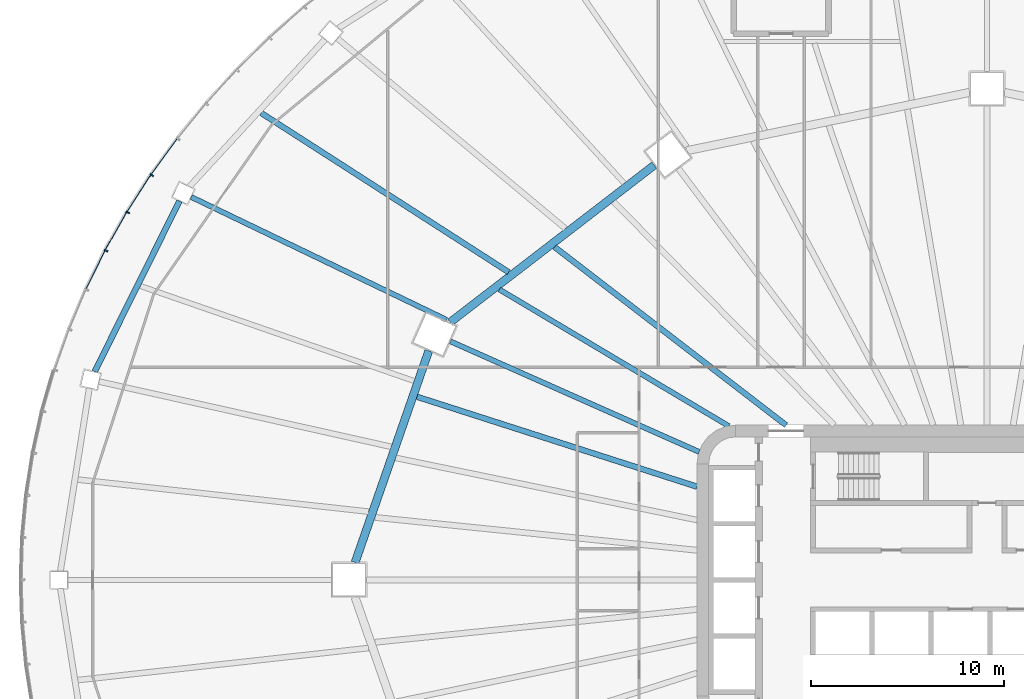
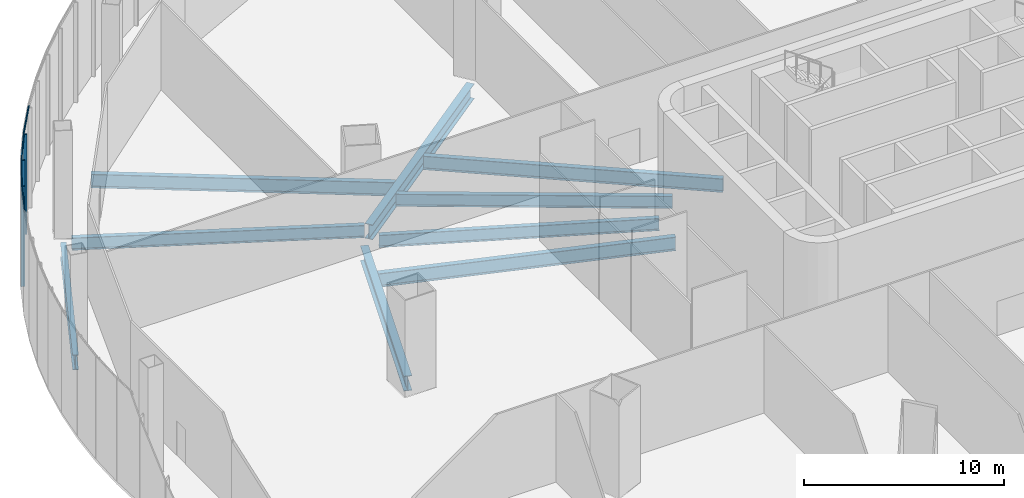
# One storey, part 7 of 33: 9 beams, 7 members, 2 elements without a shape of their own.
"""IFC4 building model written with IfcOpenShell, lengths in metres."""

from ifc_helpers import new_model, si_unit, direction, frame, origin, origin_2d, place, context, subcontext, project, spatial, rectangle, i_section, extrude, material, layer, layer_set, material_profile, profile_set, type_object, element, aggregate, save


model = new_model("IFC4")

# Units and contexts
model_context = context("Model", 3, precision=1e-05, world=origin(), true_north=direction((0.0, 1.0)))
body_context = subcontext(model_context, "Body", "Model", "MODEL_VIEW")
ifc_project = project(units=[si_unit("LENGTHUNIT", "METRE"), si_unit("AREAUNIT", "SQUARE_METRE"), si_unit("VOLUMEUNIT", "CUBIC_METRE"), si_unit("PLANEANGLEUNIT", "RADIAN"), si_unit("MASSUNIT", "GRAM", prefix="KILO")], contexts=[model_context])

# Site, building, storey
site_placement = place(None, origin())
site = spatial("IfcSite", under=ifc_project, at=site_placement, CompositionType="ELEMENT")
building_placement = place(site_placement, origin())
building = spatial("IfcBuilding", under=site, at=building_placement, Name="Sahrelin Media Tower", CompositionType="ELEMENT")
storey_placement = place(building_placement, frame((0.0, 0.0, 37.39990234375)))
storey = spatial("IfcBuildingStorey", under=building, at=storey_placement, Name="L05", CompositionType="ELEMENT", Elevation=37.39990234375)

# Curtain wall, members
ifc_material_1 = material(Name="Champagne anodised aluminium 6063-T6", Category="aluminium")
ifc_layer = layer(ifc_material_1, 0.14990234375)
ifc_layer_set = layer_set([ifc_layer], Name="Podium ribbon curtain wall")
curtain_wall_type = type_object("IfcCurtainWallType", Name="Podium ribbon curtain wall", PredefinedType="NOTDEFINED", material=ifc_layer_set)
curtain_wall_1_placement = place(storey_placement, frame((-43.30126953125, 21.0, 0.0), z_axis=(0.0, 0.0, 1.0), x_axis=(1.0, 0.0, 0.0)))
curtain_wall_1 = element("IfcCurtainWall", 1, at=curtain_wall_1_placement, inside=storey, type_object=curtain_wall_type, Name="L05:CW:L05-P10", PredefinedType="NOTDEFINED")
ifc_material_profile_1 = material_profile(ifc_material_1, rectangle(XDim=0.080078125, YDim=0.199951171875, at=origin_2d()), Name="Mullion 80x200")
ifc_profile_set_1 = profile_set([ifc_material_profile_1], Name="Champagne anodised aluminium 6063-T6")
member_type_1 = type_object("IfcMemberType", Name="Mullion 80x200 CW5", PredefinedType="MULLION", material=ifc_profile_set_1)
member_1_placement = place(storey_placement, frame((-43.200439453125, 20.934814453125, 0.0), z_axis=(0.0, 0.0, 1.0), x_axis=(-0.542830032192, -0.839842578196, 0.0)))
member_1 = element("IfcMember", 2, at=member_1_placement, type_object=member_type_1, Name="L05:CWM1:L05-P10", PredefinedType="MULLION", context=body_context, shape_type="SweptSolid", body=[
    extrude(rectangle(XDim=0.080078125, YDim=0.199951171875, at=origin_2d()), origin(), (0.0, 0.0, 1.0), 6.10009765625),
])
member_2_placement = place(storey_placement, frame((-44.446044921875, 19.00830078125, 0.0), z_axis=(0.0, 0.0, 1.0), x_axis=(-0.493787068155, -0.869582849028, 0.0)))
member_2 = element("IfcMember", 3, at=member_2_placement, type_object=member_type_1, Name="L05:CWM2:L05-P10", PredefinedType="MULLION", context=body_context, shape_type="SweptSolid", body=[
    extrude(rectangle(XDim=0.080078125, YDim=0.199951171875, at=origin_2d()), origin(), (0.0, 0.0, 1.0), 6.10009765625),
])
member_3_placement = place(storey_placement, frame((-45.569580078125, 17.02978515625, 0.0), z_axis=(0.0, 0.0, 1.0), x_axis=(-0.442262079274, -0.896885864108, 0.0)))
member_3 = element("IfcMember", 4, at=member_3_placement, type_object=member_type_1, Name="L05:CWM3:L05-P10", PredefinedType="MULLION", context=body_context, shape_type="SweptSolid", body=[
    extrude(rectangle(XDim=0.080078125, YDim=0.199951171875, at=origin_2d()), origin(), (0.0, 0.0, 1.0), 6.10009765625),
])

# Beams
ifc_material_2 = material(Name="Steel S355", Category="steel")
ifc_material_profile_2 = material_profile(ifc_material_2, i_section(OverallWidth=0.30322265625, OverallDepth=0.903076171875, WebThickness=0.01513671875, FlangeThickness=0.020263671875, FilletRadius=0.01904296875, at=origin_2d()), Name="UB 914x305x201")
ifc_profile_set_2 = profile_set([ifc_material_profile_2], Name="Steel S355")
beam_type_1 = type_object("IfcBeamType", Name="Podium edge girder PE11", PredefinedType="BEAM", material=ifc_profile_set_2)
beam_1_placement = place(storey_placement, frame((-41.76953125, 19.596923828125, -0.6513671875), z_axis=(-0.445112588569, -0.895474613541, 0.0), x_axis=(0.895474613541, -0.445112588569, 0.0)))
element("IfcBeam", 5, at=beam_1_placement, inside=storey, type_object=beam_type_1, Name="Podium edge girder L05-11", PredefinedType="BEAM", context=body_context, shape_type="SweptSolid", body=[
    extrude(i_section(OverallWidth=0.30322265625, OverallDepth=0.903076171875, WebThickness=0.01513671875, FlangeThickness=0.020263671875, FilletRadius=0.01904296875, at=origin_2d()), origin(), (0.0, 0.0, 1.0), 9.859619140625),
])
ifc_material_profile_3 = material_profile(ifc_material_2, i_section(OverallWidth=0.41845703125, OverallDepth=0.911865234375, WebThickness=0.019287109375, FlangeThickness=0.031982421875, FilletRadius=0.024169921875, at=origin_2d()), Name="UB 914x419x343")
ifc_profile_set_3 = profile_set([ifc_material_profile_3], Name="Steel S355")
beam_type_2 = type_object("IfcBeamType", Name="Podium ring girder PG12", PredefinedType="BEAM", material=ifc_profile_set_3)
beam_2_placement = place(storey_placement, frame((-17.21337890625, 21.447998046875, -0.65576171875), z_axis=(-0.792445416108, -0.609942835428, 0.0), x_axis=(0.609942835428, -0.792445416108, 0.0)))
element("IfcBeam", 6, at=beam_2_placement, inside=storey, type_object=beam_type_2, Name="Podium girder L05-05", PredefinedType="BEAM", context=body_context, shape_type="SweptSolid", body=[
    extrude(i_section(OverallWidth=0.41845703125, OverallDepth=0.911865234375, WebThickness=0.019287109375, FlangeThickness=0.031982421875, FilletRadius=0.024169921875, at=origin_2d()), origin(), (0.0, 0.0, 1.0), 13.318603515625),
])
beam_3_placement = place(storey_placement, frame((-28.875732421875, 11.84716796875, -0.65576171875), z_axis=(-0.328773851324, -0.944408679908, 0.0), x_axis=(0.944408679908, -0.328773851324, 0.0)))
element("IfcBeam", 7, at=beam_3_placement, inside=storey, type_object=beam_type_2, Name="Podium girder L05-06", PredefinedType="BEAM", context=body_context, shape_type="SweptSolid", body=[
    extrude(i_section(OverallWidth=0.41845703125, OverallDepth=0.911865234375, WebThickness=0.019287109375, FlangeThickness=0.031982421875, FilletRadius=0.024169921875, at=origin_2d()), origin(), (0.0, 0.0, 1.0), 11.591552734375),
])
ifc_material_profile_4 = material_profile(ifc_material_2, i_section(OverallWidth=0.291748046875, OverallDepth=0.8349609375, WebThickness=0.013916015625, FlangeThickness=0.018798828125, FilletRadius=0.017822265625, at=origin_2d()), Name="UB 838x292x176")
ifc_profile_set_4 = profile_set([ifc_material_profile_4], Name="Steel S355")
beam_type_3 = type_object("IfcBeamType", Name="Radial primary beam PB10", PredefinedType="BEAM", material=ifc_profile_set_4)
beam_4_placement = place(storey_placement, frame((-10.393798828125, 8.0, -0.617431640625), z_axis=(-0.79244196099, 0.609947324335, 0.0), x_axis=(-0.609947324335, -0.79244196099, 0.0)))
element("IfcBeam", 8, at=beam_4_placement, inside=storey, type_object=beam_type_3, Name="Radial beam L05-10", PredefinedType="BEAM", context=body_context, shape_type="SweptSolid", body=[
    extrude(i_section(OverallWidth=0.291748046875, OverallDepth=0.8349609375, WebThickness=0.013916015625, FlangeThickness=0.018798828125, FilletRadius=0.017822265625, at=origin_2d()), origin(), (0.0, 0.0, 1.0), 15.1103515625),
])
ifc_material_profile_5 = material_profile(ifc_material_2, i_section(OverallWidth=0.26513671875, OverallDepth=0.75390625, WebThickness=0.0126953125, FlangeThickness=0.017578125, FilletRadius=0.0166015625, at=origin_2d()), Name="UB 762x267x147")
ifc_profile_set_5 = profile_set([ifc_material_profile_5], Name="Steel S355")
beam_type_4 = type_object("IfcBeamType", Name="Radial primary beam PB9", PredefinedType="BEAM", material=ifc_profile_set_5)
beam_5_placement = place(storey_placement, frame((-14.890625, 6.6171875, -0.576904296875), z_axis=(-0.913833000058, 0.406090196883, 0.0), x_axis=(-0.406090196883, -0.913833000058, 0.0)))
element("IfcBeam", 9, at=beam_5_placement, inside=storey, type_object=beam_type_4, Name="Radial beam L05-11", PredefinedType="BEAM", context=body_context, shape_type="SweptSolid", body=[
    extrude(i_section(OverallWidth=0.26513671875, OverallDepth=0.75390625, WebThickness=0.0126953125, FlangeThickness=0.017578125, FilletRadius=0.0166015625, at=origin_2d()), origin(), (0.0, 0.0, 1.0), 14.078857421875),
])
beam_6_placement = place(storey_placement, frame((-27.950439453125, 13.44775390625, -0.576904296875), z_axis=(-0.901130102072, 0.433548773657, 0.0), x_axis=(-0.433548773657, -0.901130102072, 0.0)))
element("IfcBeam", 10, at=beam_6_placement, inside=storey, type_object=beam_type_4, Name="Radial beam L05-13", PredefinedType="BEAM", context=body_context, shape_type="SweptSolid", body=[
    extrude(i_section(OverallWidth=0.26513671875, OverallDepth=0.75390625, WebThickness=0.0126953125, FlangeThickness=0.017578125, FilletRadius=0.0166015625, at=origin_2d()), origin(), (0.0, 0.0, 1.0), 14.6630859375),
])
ifc_material_profile_6 = material_profile(ifc_material_2, i_section(OverallWidth=0.291748046875, OverallDepth=0.8349609375, WebThickness=0.013916015625, FlangeThickness=0.018798828125, FilletRadius=0.017822265625, at=origin_2d()), Name="UB 838x292x176")
ifc_profile_set_6 = profile_set([ifc_material_profile_6], Name="Steel S355")
beam_type_5 = type_object("IfcBeamType", Name="Radial secondary beam SB10", PredefinedType="BEAM", material=ifc_profile_set_6)
beam_7_placement = place(storey_placement, frame((-15.0, 4.81787109375, -0.617431640625), z_axis=(-0.952096340592, 0.305798231244, 0.0), x_axis=(-0.305798231244, -0.952096340592, 0.0)))
element("IfcBeam", 11, at=beam_7_placement, inside=storey, type_object=beam_type_5, Name="Secondary beam L05-11", PredefinedType="BEAM", context=body_context, shape_type="SweptSolid", body=[
    extrude(i_section(OverallWidth=0.291748046875, OverallDepth=0.8349609375, WebThickness=0.013916015625, FlangeThickness=0.018798828125, FilletRadius=0.017822265625, at=origin_2d()), origin(), (0.0, 0.0, 1.0), 15.210693359375),
])
beam_8_placement = place(storey_placement, frame((-24.744140625, 15.91552734375, -0.617431640625), z_axis=(-0.84104292767, 0.540968385228, 0.0), x_axis=(-0.540968385228, -0.84104292767, 0.0)))
element("IfcBeam", 12, at=beam_8_placement, inside=storey, type_object=beam_type_5, Name="Secondary beam L05-10", PredefinedType="BEAM", context=body_context, shape_type="SweptSolid", body=[
    extrude(i_section(OverallWidth=0.291748046875, OverallDepth=0.8349609375, WebThickness=0.013916015625, FlangeThickness=0.018798828125, FilletRadius=0.017822265625, at=origin_2d()), origin(), (0.0, 0.0, 1.0), 15.218505859375),
])
ifc_material_profile_7 = material_profile(ifc_material_2, i_section(OverallWidth=0.26513671875, OverallDepth=0.75390625, WebThickness=0.0126953125, FlangeThickness=0.017578125, FilletRadius=0.0166015625, at=origin_2d()), Name="UB 762x267x147")
ifc_profile_set_7 = profile_set([ifc_material_profile_7], Name="Steel S355")
beam_type_6 = type_object("IfcBeamType", Name="Radial secondary beam SB9", PredefinedType="BEAM", material=ifc_profile_set_7)
beam_9_placement = place(storey_placement, frame((-13.356201171875, 7.953125, -0.576904296875), z_axis=(-0.859199265621, 0.511641106594, 0.0), x_axis=(-0.511641106594, -0.859199265621, 0.0)))
element("IfcBeam", 13, at=beam_9_placement, inside=storey, type_object=beam_type_6, Name="Secondary beam L05-10", PredefinedType="BEAM", context=body_context, shape_type="SweptSolid", body=[
    extrude(i_section(OverallWidth=0.26513671875, OverallDepth=0.75390625, WebThickness=0.0126953125, FlangeThickness=0.017578125, FilletRadius=0.0166015625, at=origin_2d()), origin(), (0.0, 0.0, 1.0), 13.810791015625),
])

# Curtain wall, member
curtain_wall_2_placement = place(storey_placement, frame((-35.355224609375, 29.698486328125, 0.0), z_axis=(0.0, 0.0, 1.0), x_axis=(1.0, 0.0, 0.0)))
curtain_wall_2 = element("IfcCurtainWall", 14, at=curtain_wall_2_placement, inside=storey, type_object=curtain_wall_type, Name="L05:CW:L05-P09", PredefinedType="NOTDEFINED")
ifc_material_profile_8 = material_profile(ifc_material_1, rectangle(XDim=0.06005859375, YDim=0.14990234375, at=origin_2d()), Name="Transom 60x150")
ifc_profile_set_8 = profile_set([ifc_material_profile_8], Name="Champagne anodised aluminium 6063-T6")
member_type_2 = type_object("IfcMemberType", Name="Transom 60x150 CW5", PredefinedType="USERDEFINED", material=ifc_profile_set_8)
member_4_placement = place(storey_placement, frame((-41.922607421875, 22.804931640625, 6.175048828125), z_axis=(-0.589385639376, -0.807851823107, 0.0), x_axis=(0.807851823107, -0.589385639376, 0.0)))
member_4 = element("IfcMember", 15, at=member_4_placement, type_object=member_type_2, Name="L05:CWT5a:L05-P09", ObjectType="TRANSOM", PredefinedType="USERDEFINED", context=body_context, shape_type="SweptSolid", body=[
    extrude(rectangle(XDim=0.06005859375, YDim=0.14990234375, at=origin_2d()), origin(), (0.0, 0.0, 1.0), 2.270751953125),
])
aggregate(curtain_wall_2, [member_4])

# Member
member_5_placement = place(storey_placement, frame((-43.286376953125, 20.930908203125, 6.175048828125), z_axis=(-0.542855461476, -0.8398261415, 0.0), x_axis=(0.8398261415, -0.542855461476, 0.0)))
member_5 = element("IfcMember", 16, at=member_5_placement, type_object=member_type_2, Name="L05:CWT1a:L05-P10", ObjectType="TRANSOM", PredefinedType="USERDEFINED", context=body_context, shape_type="SweptSolid", body=[
    extrude(rectangle(XDim=0.06005859375, YDim=0.14990234375, at=origin_2d()), origin(), (0.0, 0.0, 1.0), 2.2509765625),
])

member_6_placement = place(storey_placement, frame((-44.531494140625, 18.99951171875, 6.175048828125), z_axis=(-0.49374634774, -0.869605970594, 0.0), x_axis=(0.869605970594, -0.49374634774, 0.0)))
member_6 = element("IfcMember", 17, at=member_6_placement, type_object=member_type_2, Name="L05:CWT2a:L05-P10", ObjectType="TRANSOM", PredefinedType="USERDEFINED", context=body_context, shape_type="SweptSolid", body=[
    extrude(rectangle(XDim=0.06005859375, YDim=0.14990234375, at=origin_2d()), origin(), (0.0, 0.0, 1.0), 2.232421875),
])

member_7_placement = place(storey_placement, frame((-45.654541015625, 17.015869140625, 6.175048828125), z_axis=(-0.442313130509, -0.896860688501, 0.0), x_axis=(0.896860688501, -0.442313130509, 0.0)))
member_7 = element("IfcMember", 18, at=member_7_placement, type_object=member_type_2, Name="L05:CWT3a:L05-P10", ObjectType="TRANSOM", PredefinedType="USERDEFINED", context=body_context, shape_type="SweptSolid", body=[
    extrude(rectangle(XDim=0.06005859375, YDim=0.14990234375, at=origin_2d()), origin(), (0.0, 0.0, 1.0), 2.215087890625),
])

aggregate(curtain_wall_1, [member_1, member_5, member_2, member_6, member_3, member_7])

save(model, "model.ifc")
